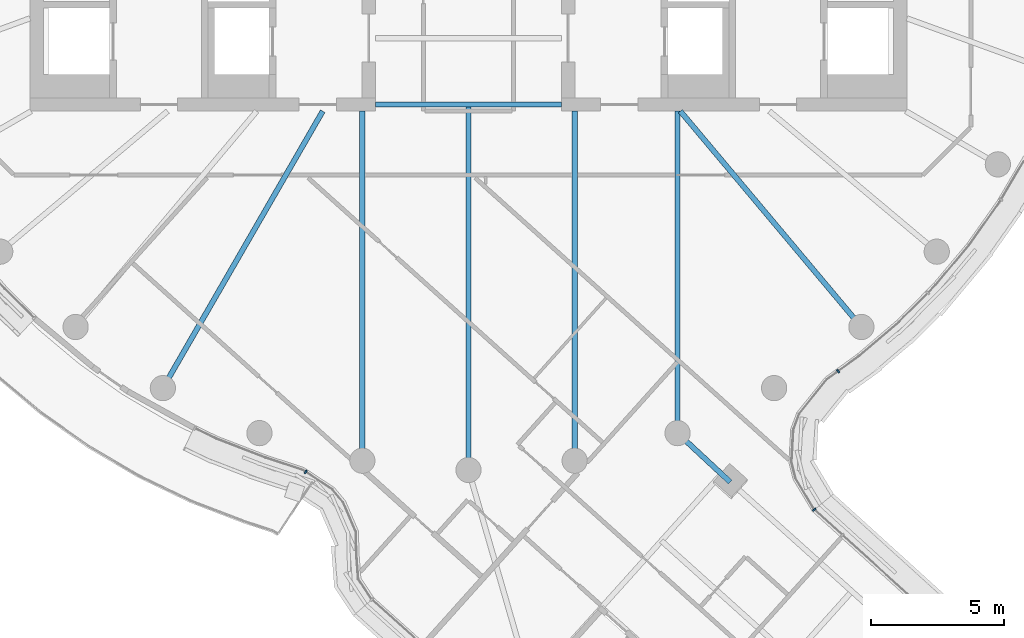
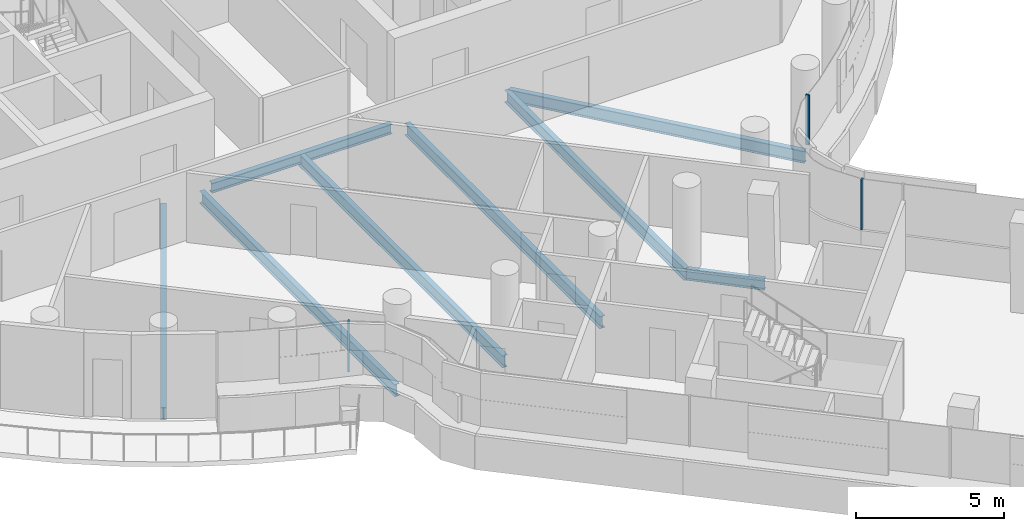
# One storey, part 6 of 31: 8 beams, 3 members, 2 elements without a shape of their own.
"""IFC4 building model written with IfcOpenShell, lengths in metres."""

from ifc_helpers import new_model, si_unit, direction, frame, origin, origin_2d, place, context, subcontext, project, spatial, rectangle, i_section, extrude, material, layer, layer_set, material_profile, profile_set, type_object, element, aggregate, save


model = new_model("IFC4")

# Units and contexts
model_context = context("Model", 3, precision=1e-05, world=origin(), true_north=direction((0.0, 1.0)))
body_context = subcontext(model_context, "Body", "Model", "MODEL_VIEW")
ifc_project = project(units=[si_unit("LENGTHUNIT", "METRE"), si_unit("AREAUNIT", "SQUARE_METRE"), si_unit("VOLUMEUNIT", "CUBIC_METRE"), si_unit("PLANEANGLEUNIT", "RADIAN"), si_unit("MASSUNIT", "GRAM", prefix="KILO")], contexts=[model_context])

# Site, building, storey
site_placement = place(None, origin())
site = spatial("IfcSite", under=ifc_project, at=site_placement, CompositionType="ELEMENT")
building_placement = place(site_placement, origin())
building = spatial("IfcBuilding", under=site, at=building_placement, Name="Tamarind Cross Interchange Tower", CompositionType="ELEMENT")
storey_placement = place(building_placement, frame((0.0, 0.0, 207.699951171875)))
storey = spatial("IfcBuildingStorey", under=building, at=storey_placement, Name="L52", CompositionType="ELEMENT", Elevation=207.699951171875)

# Beams
ifc_material_1 = material(Name="Steel Q355B", Category="steel")
ifc_material_profile_1 = material_profile(ifc_material_1, i_section(OverallWidth=0.199951171875, OverallDepth=0.39990234375, WebThickness=0.008056640625, FlangeThickness=0.012939453125, FilletRadius=0.01611328125, at=origin_2d()), Name="HN 400x200x8x13")
ifc_profile_set_1 = profile_set([ifc_material_profile_1], Name="Steel Q355B")
beam_type_1 = type_object("IfcBeamType", Name="Composite beam HN 400x200x8x13 Q355B", PredefinedType="BEAM", material=ifc_profile_set_1)
beam_1_placement = place(storey_placement, frame((-3.5, -9.25, -0.33984375), z_axis=(1.0, 0.0, 0.0), x_axis=(0.0, 1.0, 0.0)))
element("IfcBeam", 1, at=beam_1_placement, inside=storey, type_object=beam_type_1, Name="Beam G-9.25", PredefinedType="BEAM", context=body_context, shape_type="SweptSolid", body=[
    extrude(i_section(OverallWidth=0.199951171875, OverallDepth=0.39990234375, WebThickness=0.008056640625, FlangeThickness=0.012939453125, FilletRadius=0.01611328125, at=origin_2d()), origin(), (0.0, 0.0, 1.0), 7.0),
])
ifc_material_profile_2 = material_profile(ifc_material_1, i_section(OverallWidth=0.198974609375, OverallDepth=0.446044921875, WebThickness=0.008056640625, FlangeThickness=0.011962890625, FilletRadius=0.012939453125, at=origin_2d()), Name="HN 446x199x8x12")
ifc_profile_set_2 = profile_set([ifc_material_profile_2], Name="Steel Q355B")
beam_type_2 = type_object("IfcBeamType", Name="Composite beam HN 446x199x8x12 Q355B", PredefinedType="BEAM", material=ifc_profile_set_2)
beam_2_placement = place(storey_placement, frame((9.849853515625, -23.4560546875, -0.363037109375), z_axis=(-0.732555788625, 0.680706997579, 0.0), x_axis=(-0.680706997579, -0.732555788625, 0.0)))
element("IfcBeam", 2, at=beam_2_placement, inside=storey, type_object=beam_type_2, Name="Beam S-linkep", PredefinedType="BEAM", context=body_context, shape_type="SweptSolid", body=[
    extrude(i_section(OverallWidth=0.198974609375, OverallDepth=0.446044921875, WebThickness=0.008056640625, FlangeThickness=0.011962890625, FilletRadius=0.012939453125, at=origin_2d()), origin(), (0.0, 0.0, 1.0), 2.70751953125),
])
ifc_material_profile_3 = material_profile(ifc_material_1, i_section(OverallWidth=0.198974609375, OverallDepth=0.49609375, WebThickness=0.009033203125, FlangeThickness=0.013916015625, FilletRadius=0.012939453125, at=origin_2d()), Name="HN 496x199x9x14")
ifc_profile_set_3 = profile_set([ifc_material_profile_3], Name="Steel Q355B")
beam_type_3 = type_object("IfcBeamType", Name="Composite beam HN 496x199x9x14 Q355B", PredefinedType="BEAM", material=ifc_profile_set_3)
beam_3_placement = place(storey_placement, frame((-11.5, -19.918701171875, -0.387939453125), z_axis=(0.499993565836, 0.866029118519, 0.0), x_axis=(-0.866029118519, 0.499993565836, 0.0)))
element("IfcBeam", 3, at=beam_3_placement, inside=storey, type_object=beam_type_3, Name="Beam HH24", PredefinedType="BEAM", context=body_context, shape_type="SweptSolid", body=[
    extrude(i_section(OverallWidth=0.198974609375, OverallDepth=0.49609375, WebThickness=0.009033203125, FlangeThickness=0.013916015625, FilletRadius=0.012939453125, at=origin_2d()), origin(), (0.0, 0.0, 1.0), 12.030517578125),
])
beam_4_placement = place(storey_placement, frame((-3.993896484375, -22.650634765625, -0.387939453125), z_axis=(0.0, 1.0, 0.0), x_axis=(-1.0, 0.0, 0.0)))
element("IfcBeam", 4, at=beam_4_placement, inside=storey, type_object=beam_type_3, Name="Beam HH26", PredefinedType="BEAM", context=body_context, shape_type="SweptSolid", body=[
    extrude(i_section(OverallWidth=0.198974609375, OverallDepth=0.49609375, WebThickness=0.009033203125, FlangeThickness=0.013916015625, FilletRadius=0.012939453125, at=origin_2d()), origin(), (0.0, 0.0, 1.0), 13.150634765625),
])
beam_5_placement = place(storey_placement, frame((0.0, -23.0, -0.387939453125), z_axis=(0.0, 1.0, 0.0), x_axis=(-1.0, 0.0, 0.0)))
element("IfcBeam", 5, at=beam_5_placement, inside=storey, type_object=beam_type_3, Name="Beam HH27", PredefinedType="BEAM", context=body_context, shape_type="SweptSolid", body=[
    extrude(i_section(OverallWidth=0.198974609375, OverallDepth=0.49609375, WebThickness=0.009033203125, FlangeThickness=0.013916015625, FilletRadius=0.012939453125, at=origin_2d()), origin(), (0.0, 0.0, 1.0), 13.75),
])
beam_6_placement = place(storey_placement, frame((3.993896484375, -22.650634765625, -0.387939453125), z_axis=(0.0, 1.0, 0.0), x_axis=(-1.0, 0.0, 0.0)))
element("IfcBeam", 6, at=beam_6_placement, inside=storey, type_object=beam_type_3, Name="Beam HH28", PredefinedType="BEAM", context=body_context, shape_type="SweptSolid", body=[
    extrude(i_section(OverallWidth=0.198974609375, OverallDepth=0.49609375, WebThickness=0.009033203125, FlangeThickness=0.013916015625, FilletRadius=0.012939453125, at=origin_2d()), origin(), (0.0, 0.0, 1.0), 13.150634765625),
])
beam_7_placement = place(storey_placement, frame((7.866455078125, -21.613037109375, -0.387939453125), z_axis=(0.0, 1.0, 0.0), x_axis=(-1.0, 0.0, 0.0)))
element("IfcBeam", 7, at=beam_7_placement, inside=storey, type_object=beam_type_3, Name="Beam HH29", PredefinedType="BEAM", context=body_context, shape_type="SweptSolid", body=[
    extrude(i_section(OverallWidth=0.198974609375, OverallDepth=0.49609375, WebThickness=0.009033203125, FlangeThickness=0.013916015625, FilletRadius=0.012939453125, at=origin_2d()), origin(), (0.0, 0.0, 1.0), 12.113037109375),
])
beam_8_placement = place(storey_placement, frame((14.7841796875, -17.619140625, -0.387939453125), z_axis=(-0.642786293979, 0.766045547127, 0.0), x_axis=(-0.766045547127, -0.642786293979, 0.0)))
element("IfcBeam", 8, at=beam_8_placement, inside=storey, type_object=beam_type_3, Name="Beam HH31", PredefinedType="BEAM", context=body_context, shape_type="SweptSolid", body=[
    extrude(i_section(OverallWidth=0.198974609375, OverallDepth=0.49609375, WebThickness=0.009033203125, FlangeThickness=0.013916015625, FilletRadius=0.012939453125, at=origin_2d()), origin(), (0.0, 0.0, 1.0), 10.598876953125),
])

# Curtain wall, member
ifc_material_2 = material(Name="Aluminium 6063-T6", Category="aluminium")
ifc_layer = layer(ifc_material_2, 0.139892578125)
ifc_layer_set = layer_set([ifc_layer], Name="Aluminium 6063-T6")
curtain_wall_type = type_object("IfcCurtainWallType", Name="Hotel curtain wall, 4.5 m bays", PredefinedType="NOTDEFINED", material=ifc_layer_set)
curtain_wall_1_placement = place(storey_placement, origin())
curtain_wall_1 = element("IfcCurtainWall", 9, at=curtain_wall_1_placement, inside=storey, type_object=curtain_wall_type, Name="CWS-L52-02", PredefinedType="NOTDEFINED")
ifc_material_profile_4 = material_profile(ifc_material_2, rectangle(XDim=0.06005859375, YDim=0.139892578125, at=origin_2d()), Name="Mullion CW2")
ifc_profile_set_4 = profile_set([ifc_material_profile_4], Name="Aluminium 6063-T6")
member_type = type_object("IfcMemberType", Name="Mullion CW2", PredefinedType="MULLION", material=ifc_profile_set_4)
member_1_placement = place(storey_placement, frame((-6.125, -23.072509765625, 1.400146484375), z_axis=(0.0, 0.0, 1.0), x_axis=(0.835753158715, -0.549105324776, 0.0)))
member_1 = element("IfcMember", 10, at=member_1_placement, type_object=member_type, Name="CWM-L52-02-04", PredefinedType="MULLION", context=body_context, shape_type="SweptSolid", body=[
    extrude(rectangle(XDim=0.06005859375, YDim=0.139892578125, at=origin_2d()), origin(), (0.0, 0.0, 1.0), 2.059814453125),
])
aggregate(curtain_wall_1, [member_1])

# Curtain wall, members
curtain_wall_2_placement = place(storey_placement, origin())
curtain_wall_2 = element("IfcCurtainWall", 11, at=curtain_wall_2_placement, inside=storey, type_object=curtain_wall_type, Name="CWS-L52-06", PredefinedType="NOTDEFINED")
member_2_placement = place(storey_placement, frame((13.01416015625, -24.4921875, 1.400146484375), z_axis=(0.0, 0.0, 1.0), x_axis=(-0.63450346006, 0.7729200212, 0.0)))
member_2 = element("IfcMember", 12, at=member_2_placement, type_object=member_type, Name="CWM-L52-06-00", PredefinedType="MULLION", context=body_context, shape_type="SweptSolid", body=[
    extrude(rectangle(XDim=0.06005859375, YDim=0.139892578125, at=origin_2d()), origin(), (0.0, 0.0, 1.0), 2.059814453125),
])
member_3_placement = place(storey_placement, frame((13.909912109375, -19.28369140625, 1.400146484375), z_axis=(0.0, 0.0, 1.0), x_axis=(0.810455063884, 0.585800810365, 0.0)))
member_3 = element("IfcMember", 13, at=member_3_placement, type_object=member_type, Name="CWM-L52-06-01", PredefinedType="MULLION", context=body_context, shape_type="SweptSolid", body=[
    extrude(rectangle(XDim=0.06005859375, YDim=0.139892578125, at=origin_2d()), origin(), (0.0, 0.0, 1.0), 2.059814453125),
])
aggregate(curtain_wall_2, [member_2, member_3])

save(model, "model.ifc")
